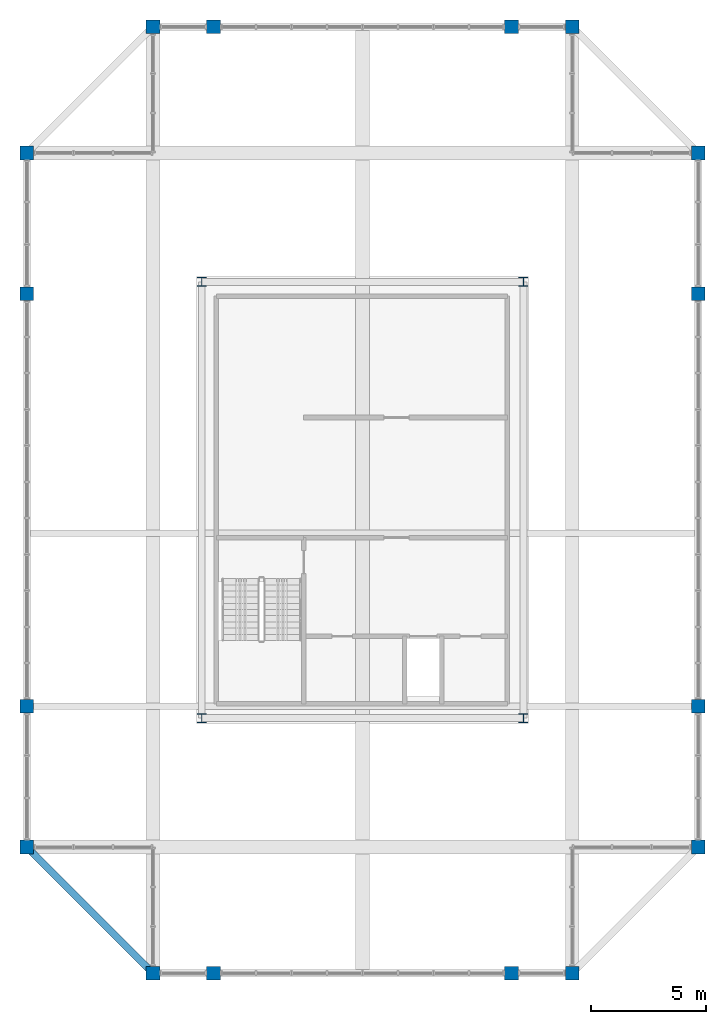
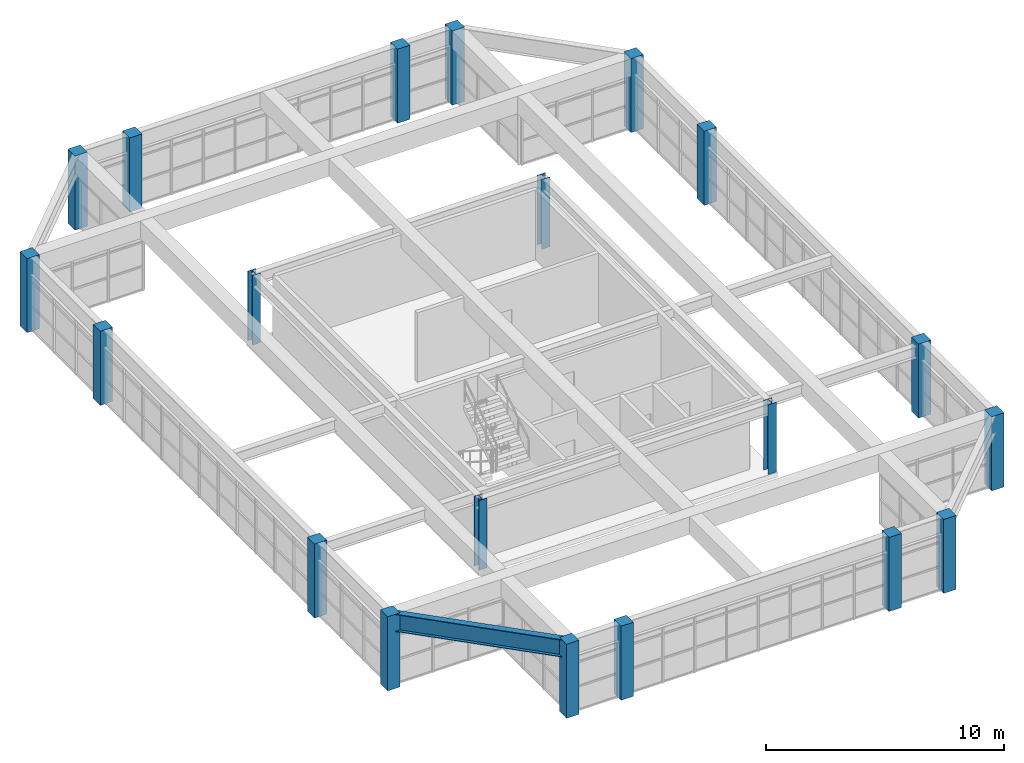
# One storey, part 1 of 28: 20 columns, 1 beam.
"""IFC4 building model written with IfcOpenShell, lengths in metres."""

import ifcopenshell
import ifcopenshell.guid

model = None  # the IFC model being written
_history = None  # IfcOwnerHistory: only IFC2X3 demands one
_inside = {}  # id of a spatial element -> (the spatial element, [elements in it])
_under = {}  # id of a project, library or spatial element -> (it, [spatial elements below it])
_declared = {}  # id of a project -> (the project, [libraries it declares])
_typed = {}  # id of a type object -> (the type object, [elements of that type])
_made_of = {}  # id of a material, layer set ... -> (it, [elements and type objects made of it])


def new_model(schema):
    """Start an empty IFC model of exactly this schema.

    Asked for "IFC4X3", IfcOpenShell would pick the latest addendum, in which some entities
    have other attributes; the version numbers below select the first issue.
    IFC2X3 requires an IfcOwnerHistory on every rooted entity: one is made here for all.
    """
    global model, _history
    if schema == "IFC4X3":
        model = ifcopenshell.file(schema_version=(4, 3, 0, 0))
    else:
        model = ifcopenshell.file(schema=schema)
    _inside.clear()
    _under.clear()
    _declared.clear()
    _typed.clear()
    _made_of.clear()
    _history = None
    if model.schema == "IFC2X3":
        org = make("IfcOrganization", Name="unknown")
        user = make(
            "IfcPersonAndOrganization",
            ThePerson=make("IfcPerson", FamilyName="unknown"),
            TheOrganization=org,
        )
        app = make(
            "IfcApplication",
            ApplicationDeveloper=org,
            Version="unknown",
            ApplicationFullName="unknown",
            ApplicationIdentifier="unknown",
        )
        _history = make(
            "IfcOwnerHistory",
            OwningUser=user,
            OwningApplication=app,
            ChangeAction="ADDED",
            CreationDate=0,
        )
    return model


def make(cls, **values):
    """One entity of the class cls with the attributes given. An attribute that is None is left unset."""
    return model.create_entity(
        cls, **{name: value for name, value in values.items() if value is not None}
    )


def rooted(cls, **values):
    """An entity with a GlobalId (a new one), such as an element, a storey or a relation."""
    return make(cls, GlobalId=ifcopenshell.guid.new(), OwnerHistory=_history, **values)


def si_unit(unit_type, name, prefix=None):
    """IfcSIUnit, for example si_unit("LENGTHUNIT", "METRE", prefix="MILLI")."""
    return make("IfcSIUnit", UnitType=unit_type, Prefix=prefix, Name=name)


def assignment(units):
    """IfcUnitAssignment: the units of a project."""
    return None if units is None else make("IfcUnitAssignment", Units=units)


def point(xyz):
    """IfcCartesianPoint."""
    return None if xyz is None else make("IfcCartesianPoint", Coordinates=xyz)


def direction(xyz):
    """IfcDirection."""
    return None if xyz is None else make("IfcDirection", DirectionRatios=xyz)


def frame(location, z_axis=None, x_axis=None):
    """IfcAxis2Placement3D, a coordinate frame: its origin and axes. An axis left out is left unset."""
    return make(
        "IfcAxis2Placement3D",
        Location=point(location),
        Axis=direction(z_axis),
        RefDirection=direction(x_axis),
    )


def frame_2d(location, x_axis=None):
    """IfcAxis2Placement2D, a coordinate frame in the plane: its origin and x axis."""
    return make(
        "IfcAxis2Placement2D", Location=point(location), RefDirection=direction(x_axis)
    )


def origin():
    """The frame at (0, 0, 0) with its axes left unset."""
    return frame((0.0, 0.0, 0.0))


def origin_2d():
    """The frame at (0, 0) in the plane with its x axis left unset."""
    return frame_2d((0.0, 0.0))


def place(relative_to, where):
    """IfcLocalPlacement: puts the frame where relative to a parent placement (None: the world)."""
    return make(
        "IfcLocalPlacement", PlacementRelTo=relative_to, RelativePlacement=where
    )


def context(
    kind, dimensions, precision=None, world=None, true_north=None, identifier=None
):
    """IfcGeometricRepresentationContext, for example the 3D "Model" context."""
    return make(
        "IfcGeometricRepresentationContext",
        ContextIdentifier=identifier,
        ContextType=kind,
        CoordinateSpaceDimension=dimensions,
        Precision=precision,
        WorldCoordinateSystem=world,
        TrueNorth=true_north,
    )


def subcontext(parent, identifier, kind, view, scale=None):
    """IfcGeometricRepresentationSubContext, for example "Body" below "Model"."""
    return make(
        "IfcGeometricRepresentationSubContext",
        ContextIdentifier=identifier,
        ContextType=kind,
        ParentContext=parent,
        TargetScale=scale,
        TargetView=view,
    )


def project(units=None, contexts=None):
    """IfcProject with its units and contexts."""
    return rooted(
        "IfcProject",
        Name="project",
        RepresentationContexts=contexts,
        UnitsInContext=assignment(units),
    )


def spatial(cls, under=None, at=None, **own):
    """A site, building, storey or space (cls), placed at a placement, below another one or the project."""
    s = rooted(cls, ObjectPlacement=at, **own)
    if under is not None:
        _under.setdefault(under.id(), (under, []))[1].append(s)
    return s


def profile(cls, at=None, kind="AREA", **sizes):
    """A parametric profile (cls). Its sizes go by their IFC names, for example OverallWidth=200.0."""
    return make(cls, ProfileType=kind, Position=at, **sizes)


def rectangle(**sizes):
    """IfcRectangleProfileDef."""
    return profile("IfcRectangleProfileDef", **sizes)


def i_section(**sizes):
    """IfcIShapeProfileDef."""
    return profile("IfcIShapeProfileDef", **sizes)


def extrude(swept, where, along, depth):
    """IfcExtrudedAreaSolid: the profile swept, set in the frame where, extruded along a direction by depth."""
    return make(
        "IfcExtrudedAreaSolid",
        SweptArea=swept,
        Position=where,
        ExtrudedDirection=direction(along),
        Depth=depth,
    )


def shape(context_of_items, identifier, shape_type, items):
    """IfcShapeRepresentation: the items that make up one representation, for example the "Body"."""
    return make(
        "IfcShapeRepresentation",
        ContextOfItems=context_of_items,
        RepresentationIdentifier=identifier,
        RepresentationType=shape_type,
        Items=items,
    )


def source(mapping_origin, context_of_items, identifier, shape_type, items):
    """IfcRepresentationMap: a shape defined once, which mapped items show again and again."""
    return make(
        "IfcRepresentationMap",
        MappingOrigin=mapping_origin,
        MappedRepresentation=shape(context_of_items, identifier, shape_type, items),
    )


def transform(
    local_origin,
    x_axis=None,
    y_axis=None,
    z_axis=None,
    scale=None,
    scale2=None,
    scale3=None,
    uniform=True,
):
    """IfcCartesianTransformationOperator3D, or its non-uniform kind. x_axis, y_axis, z_axis: its Axis1, 2, 3."""
    if uniform:
        return make(
            "IfcCartesianTransformationOperator3D",
            Axis1=direction(x_axis),
            Axis2=direction(y_axis),
            LocalOrigin=point(local_origin),
            Scale=scale,
            Axis3=direction(z_axis),
        )
    return make(
        "IfcCartesianTransformationOperator3DnonUniform",
        Axis1=direction(x_axis),
        Axis2=direction(y_axis),
        LocalOrigin=point(local_origin),
        Scale=scale,
        Axis3=direction(z_axis),
        Scale2=scale2,
        Scale3=scale3,
    )


def mapped(mapping_source, mapping_target):
    """IfcMappedItem: shows the shape of a source again, moved by a transform."""
    return make(
        "IfcMappedItem", MappingSource=mapping_source, MappingTarget=mapping_target
    )


def material(Name=None, Category=None):
    """IfcMaterial."""
    return make("IfcMaterial", Name=Name, Category=Category)


def material_profile(
    of_material, cross_section, Name=None, Category=None, Priority=None
):
    """IfcMaterialProfile: a cross section and its material."""
    return make(
        "IfcMaterialProfile",
        Name=Name,
        Material=of_material,
        Profile=cross_section,
        Priority=Priority,
        Category=Category,
    )


def profile_set(profiles, Name=None, composite=None):
    """IfcMaterialProfileSet."""
    return make(
        "IfcMaterialProfileSet",
        Name=Name,
        MaterialProfiles=profiles,
        CompositeProfile=composite,
    )


def made_of(thing, what):
    """Note that an element or type object is made of a material, layer set ...; save() writes the relation."""
    if what is not None:
        _made_of.setdefault(what.id(), (what, []))[1].append(thing)
    return thing


def type_object(cls, material=None, **own):
    """A type object (cls), such as IfcWallType, which elements share."""
    return made_of(rooted(cls, **own), material)


def element(
    cls,
    number,
    at=None,
    inside=None,
    cuts=None,
    type_object=None,
    material=None,
    context=None,
    identifier="Body",
    shape_type=None,
    held_by="IfcProductDefinitionShape",
    body=None,
    shapes=None,
    **own,
):
    """One element of the class cls, such as IfcWall. Its Tag is "e" and its number.

    at: its placement. inside: the storey or other place that contains it. cuts: it is an
    opening in that element (IfcRelVoidsElement). A single representation is given by context,
    identifier, shape_type and body (its items); several are given by shapes. held_by: the class
    of the entity that holds the representations. save() writes the other relations.
    """
    e = rooted(cls, Tag="e%d" % number, ObjectPlacement=at, **own)
    if body is not None:
        shapes = [shape(context, identifier, shape_type, body)]
    if shapes is not None:
        e.Representation = make(held_by, Representations=shapes)
    if inside is not None:
        _inside.setdefault(inside.id(), (inside, []))[1].append(e)
    if cuts is not None:
        rooted(
            "IfcRelVoidsElement", RelatingBuildingElement=cuts, RelatedOpeningElement=e
        )
    if type_object is not None:
        _typed.setdefault(type_object.id(), (type_object, []))[1].append(e)
    return made_of(e, material)


def aggregate(whole, parts):
    """IfcRelAggregates: a whole, such as a stair, and the parts it consists of."""
    return rooted("IfcRelAggregates", RelatingObject=whole, RelatedObjects=parts)


def save(model, path):
    """Write the relations noted so far, then the file.

    IfcRelAggregates (storeys below a building ...), IfcRelContainedInSpatialStructure (elements
    in a storey), IfcRelDefinesByType, IfcRelAssociatesMaterial and IfcRelDeclares: one each for
    every whole, place, type object, material and project.
    """
    for whole, parts in _under.values():
        aggregate(whole, parts)
    for where, things in _inside.values():
        rooted(
            "IfcRelContainedInSpatialStructure",
            RelatedElements=things,
            RelatingStructure=where,
        )
    for kind, things in _typed.values():
        rooted("IfcRelDefinesByType", RelatedObjects=things, RelatingType=kind)
    for what, things in _made_of.values():
        rooted("IfcRelAssociatesMaterial", RelatedObjects=things, RelatingMaterial=what)
    for by, libraries in _declared.values():
        rooted("IfcRelDeclares", RelatingContext=by, RelatedDefinitions=libraries)
    model.write(path)


model = new_model("IFC4")

# Units and contexts
model_context = context("Model", 3, precision=1e-05, world=origin(), true_north=direction((0.0, 1.0)))
body_context = subcontext(model_context, "Body", "Model", "MODEL_VIEW")
ifc_project = project(units=[si_unit("LENGTHUNIT", "METRE"), si_unit("AREAUNIT", "SQUARE_METRE"), si_unit("VOLUMEUNIT", "CUBIC_METRE"), si_unit("PLANEANGLEUNIT", "RADIAN"), si_unit("MASSUNIT", "GRAM", prefix="KILO")], contexts=[model_context])

# Site, building, storey
site_placement = place(None, origin())
site = spatial("IfcSite", under=ifc_project, at=site_placement, CompositionType="ELEMENT")
building_placement = place(site_placement, origin())
building = spatial("IfcBuilding", under=site, at=building_placement, Name="Saelheon Loggia Tower", CompositionType="ELEMENT")
storey_placement = place(building_placement, frame((0.0, 0.0, 271.199951171875)))
storey = spatial("IfcBuildingStorey", under=building, at=storey_placement, Name="CR6", CompositionType="ELEMENT", Elevation=271.199951171875)

# Columns
ifc_material_1 = material(Name="Precast Concrete C45/55", Category="concrete")
ifc_material_profile_1 = material_profile(ifc_material_1, rectangle(XDim=0.60009765625, YDim=0.60009765625, at=origin_2d()), Name="RC-600x600")
ifc_profile_set_1 = profile_set([ifc_material_profile_1], Name="Precast Concrete C45/55")
column_type_1 = type_object("IfcColumnType", Name="CrownFrame_Col_RC600", PredefinedType="COLUMN", material=ifc_profile_set_1)
shared_shape_1 = source(origin(), body_context, "Body", "SweptSolid", [
    extrude(rectangle(XDim=0.60009765625, YDim=0.60009765625, at=origin_2d()), origin(), (0.0, 0.0, 1.0), 3.800048828125),
])
for number, where, z_axis, x_axis, name in (
    (1, (28.85009765625, 6.35009765625, 0.0), (0.0, 0.0, 1.0), (1.0, 0.0, 0.0), "CR6 CROWN FRAME Column TP-S1"),
    (2, (31.5, 6.35009765625, 0.0), (0.0, 0.0, 1.0), (1.0, 0.0, 0.0), "CR6 CROWN FRAME Column TP-SA"),
    (3, (44.5, 6.35009765625, 0.0), (0.0, 0.0, 1.0), (1.0, 0.0, 0.0), "CR6 CROWN FRAME Column TP-SB"),
    (4, (47.14990234375, 6.35009765625, 0.0), (0.0, 0.0, 1.0), (1.0, 0.0, 0.0), "CR6 CROWN FRAME Column TP-S2"),
    (5, (52.64990234375, 11.85009765625, 0.0), (0.0, 0.0, 1.0), (1.0, 0.0, 0.0), "CR6 CROWN FRAME Column TP-E1"),
    (6, (52.64990234375, 18.0, 0.0), (0.0, 0.0, 1.0), (1.0, 0.0, 0.0), "CR6 CROWN FRAME Column TP-EA"),
    (7, (52.64990234375, 36.0, 0.0), (0.0, 0.0, 1.0), (1.0, 0.0, 0.0), "CR6 CROWN FRAME Column TP-EB"),
    (8, (52.64990234375, 42.14990234375, 0.0), (0.0, 0.0, 1.0), (1.0, 0.0, 0.0), "CR6 CROWN FRAME Column TP-E2"),
    (9, (47.14990234375, 47.64990234375, 0.0), (0.0, 0.0, 1.0), (1.0, 0.0, 0.0), "CR6 CROWN FRAME Column TP-N2"),
    (10, (44.5, 47.64990234375, 0.0), (0.0, 0.0, 1.0), (1.0, 0.0, 0.0), "CR6 CROWN FRAME Column TP-NB"),
    (11, (31.5, 47.64990234375, 0.0), (0.0, 0.0, 1.0), (1.0, 0.0, 0.0), "CR6 CROWN FRAME Column TP-NA"),
    (12, (28.85009765625, 47.64990234375, 0.0), (0.0, 0.0, 1.0), (1.0, 0.0, 0.0), "CR6 CROWN FRAME Column TP-N1"),
    (13, (23.35009765625, 42.14990234375, 0.0), (0.0, 0.0, 1.0), (1.0, 0.0, 0.0), "CR6 CROWN FRAME Column TP-W2"),
    (14, (23.35009765625, 36.0, 0.0), (0.0, 0.0, 1.0), (1.0, 0.0, 0.0), "CR6 CROWN FRAME Column TP-WB"),
    (15, (23.35009765625, 18.0, 0.0), (0.0, 0.0, 1.0), (1.0, 0.0, 0.0), "CR6 CROWN FRAME Column TP-WA"),
    (16, (23.35009765625, 11.85009765625, 0.0), (0.0, 0.0, 1.0), (1.0, 0.0, 0.0), "CR6 CROWN FRAME Column TP-W1"),
):
    element("IfcColumn", number, at=place(storey_placement, frame(where, z_axis=z_axis, x_axis=x_axis)), inside=storey, type_object=column_type_1, Name=name, PredefinedType="COLUMN", context=body_context, shape_type="MappedRepresentation", body=[
        mapped(shared_shape_1, transform((0.0, 0.0, 0.0), scale=1.0)),
    ])
ifc_material_2 = material(Name="Steel SM355", Category="steel")
ifc_material_profile_2 = material_profile(ifc_material_2, i_section(OverallWidth=0.39990234375, OverallDepth=0.39990234375, WebThickness=0.012939453125, FlangeThickness=0.02099609375, at=origin_2d()), Name="H-400x400x13x21")
ifc_profile_set_2 = profile_set([ifc_material_profile_2], Name="Steel SM355")
column_type_2 = type_object("IfcColumnType", Name="Col_Steel_H400", PredefinedType="COLUMN", material=ifc_profile_set_2)
shared_shape_2 = source(origin(), body_context, "Body", "SweptSolid", [
    extrude(i_section(OverallWidth=0.39990234375, OverallDepth=0.39990234375, WebThickness=0.012939453125, FlangeThickness=0.02099609375, at=origin_2d()), origin(), (0.0, 0.0, 1.0), 3.570068359375),
])
for number, where, z_axis, x_axis, name in (
    (17, (30.97998046875, 17.47998046875, 0.0), (0.0, 0.0, 1.0), (1.0, 0.0, 0.0), "CR6 Crown Plant Frame Column CR-SW"),
    (18, (45.02001953125, 17.47998046875, 0.0), (0.0, 0.0, 1.0), (1.0, 0.0, 0.0), "CR6 Crown Plant Frame Column CR-SE"),
    (19, (30.97998046875, 36.52001953125, 0.0), (0.0, 0.0, 1.0), (1.0, 0.0, 0.0), "CR6 Crown Plant Frame Column CR-NW"),
    (20, (45.02001953125, 36.52001953125, 0.0), (0.0, 0.0, 1.0), (1.0, 0.0, 0.0), "CR6 Crown Plant Frame Column CR-NE"),
):
    element("IfcColumn", number, at=place(storey_placement, frame(where, z_axis=z_axis, x_axis=x_axis)), inside=storey, type_object=column_type_2, Name=name, PredefinedType="COLUMN", context=body_context, shape_type="MappedRepresentation", body=[
        mapped(shared_shape_2, transform((0.0, 0.0, 0.0), scale=1.0)),
    ])

# Beam
ifc_material_profile_3 = material_profile(ifc_material_2, i_section(OverallWidth=0.300048828125, OverallDepth=0.89990234375, WebThickness=0.01611328125, FlangeThickness=0.028076171875, at=origin_2d()), Name="H-900x300x16x28")
ifc_profile_set_3 = profile_set([ifc_material_profile_3], Name="Steel SM355")
beam_type = type_object("IfcBeamType", Name="Beam_PoolGirder_Steel_H900", PredefinedType="BEAM", material=ifc_profile_set_3)
shared_shape_3 = source(origin(), body_context, "Body", "SweptSolid", [
    extrude(i_section(OverallWidth=0.300048828125, OverallDepth=0.89990234375, WebThickness=0.01611328125, FlangeThickness=0.028076171875, at=origin_2d()), origin(), (0.0, 0.0, 1.0), 7.778076171875),
])
beam_placement = place(storey_placement, frame((23.35009765625, 11.85009765625, 3.35009765625), z_axis=(0.707106781187, -0.707106781187, 0.0), x_axis=(0.707106781187, 0.707106781187, 0.0)))
element("IfcBeam", 21, at=beam_placement, inside=storey, type_object=beam_type, Name="CR6 CROWN FRAME Sill Girder 16", PredefinedType="BEAM", context=body_context, shape_type="MappedRepresentation", body=[
    mapped(shared_shape_3, transform((0.0, 0.0, 0.0), scale=1.0)),
])

save(model, "model.ifc")
